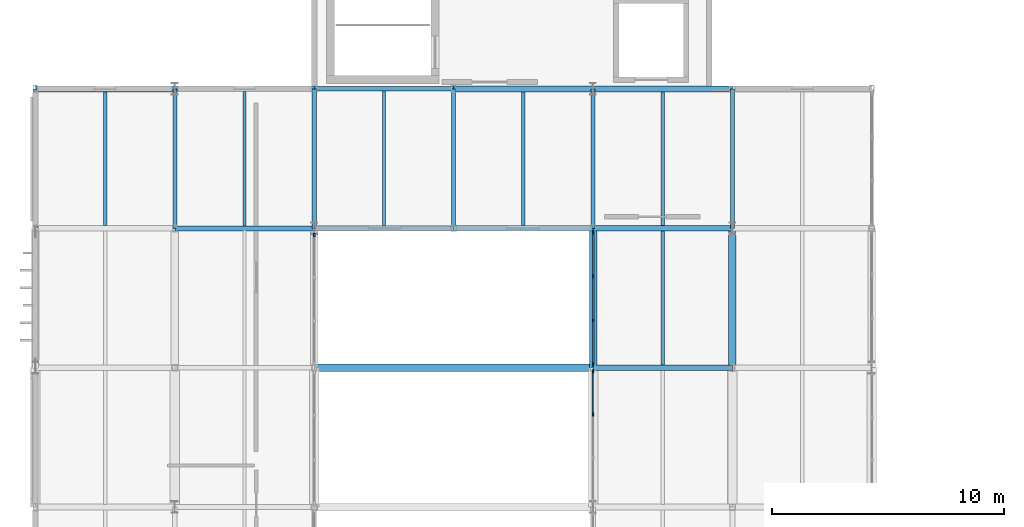
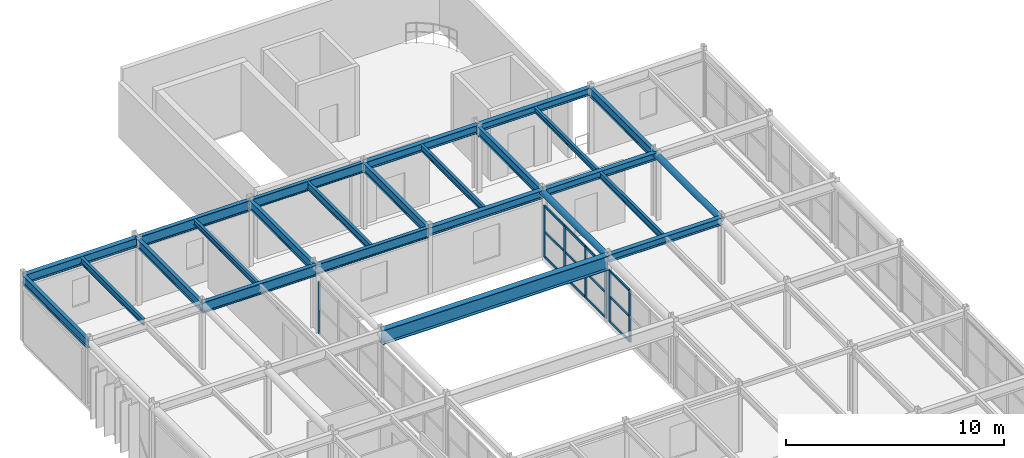
# One storey, part 13 of 63: 25 beams, 19 members, 3 elements without a shape of their own.
"""IFC4 building model written with IfcOpenShell, lengths in metres."""

import ifcopenshell
import ifcopenshell.guid

model = None  # the IFC model being written
_history = None  # IfcOwnerHistory: only IFC2X3 demands one
_inside = {}  # id of a spatial element -> (the spatial element, [elements in it])
_under = {}  # id of a project, library or spatial element -> (it, [spatial elements below it])
_declared = {}  # id of a project -> (the project, [libraries it declares])
_typed = {}  # id of a type object -> (the type object, [elements of that type])
_made_of = {}  # id of a material, layer set ... -> (it, [elements and type objects made of it])


def new_model(schema):
    """Start an empty IFC model of exactly this schema.

    Asked for "IFC4X3", IfcOpenShell would pick the latest addendum, in which some entities
    have other attributes; the version numbers below select the first issue.
    IFC2X3 requires an IfcOwnerHistory on every rooted entity: one is made here for all.
    """
    global model, _history
    if schema == "IFC4X3":
        model = ifcopenshell.file(schema_version=(4, 3, 0, 0))
    else:
        model = ifcopenshell.file(schema=schema)
    _inside.clear()
    _under.clear()
    _declared.clear()
    _typed.clear()
    _made_of.clear()
    _history = None
    if model.schema == "IFC2X3":
        org = make("IfcOrganization", Name="unknown")
        user = make(
            "IfcPersonAndOrganization",
            ThePerson=make("IfcPerson", FamilyName="unknown"),
            TheOrganization=org,
        )
        app = make(
            "IfcApplication",
            ApplicationDeveloper=org,
            Version="unknown",
            ApplicationFullName="unknown",
            ApplicationIdentifier="unknown",
        )
        _history = make(
            "IfcOwnerHistory",
            OwningUser=user,
            OwningApplication=app,
            ChangeAction="ADDED",
            CreationDate=0,
        )
    return model


def make(cls, **values):
    """One entity of the class cls with the attributes given. An attribute that is None is left unset."""
    return model.create_entity(
        cls, **{name: value for name, value in values.items() if value is not None}
    )


def rooted(cls, **values):
    """An entity with a GlobalId (a new one), such as an element, a storey or a relation."""
    return make(cls, GlobalId=ifcopenshell.guid.new(), OwnerHistory=_history, **values)


def si_unit(unit_type, name, prefix=None):
    """IfcSIUnit, for example si_unit("LENGTHUNIT", "METRE", prefix="MILLI")."""
    return make("IfcSIUnit", UnitType=unit_type, Prefix=prefix, Name=name)


def assignment(units):
    """IfcUnitAssignment: the units of a project."""
    return None if units is None else make("IfcUnitAssignment", Units=units)


def point(xyz):
    """IfcCartesianPoint."""
    return None if xyz is None else make("IfcCartesianPoint", Coordinates=xyz)


def direction(xyz):
    """IfcDirection."""
    return None if xyz is None else make("IfcDirection", DirectionRatios=xyz)


def frame(location, z_axis=None, x_axis=None):
    """IfcAxis2Placement3D, a coordinate frame: its origin and axes. An axis left out is left unset."""
    return make(
        "IfcAxis2Placement3D",
        Location=point(location),
        Axis=direction(z_axis),
        RefDirection=direction(x_axis),
    )


def frame_2d(location, x_axis=None):
    """IfcAxis2Placement2D, a coordinate frame in the plane: its origin and x axis."""
    return make(
        "IfcAxis2Placement2D", Location=point(location), RefDirection=direction(x_axis)
    )


def origin():
    """The frame at (0, 0, 0) with its axes left unset."""
    return frame((0.0, 0.0, 0.0))


def origin_2d():
    """The frame at (0, 0) in the plane with its x axis left unset."""
    return frame_2d((0.0, 0.0))


def place(relative_to, where):
    """IfcLocalPlacement: puts the frame where relative to a parent placement (None: the world)."""
    return make(
        "IfcLocalPlacement", PlacementRelTo=relative_to, RelativePlacement=where
    )


def context(
    kind, dimensions, precision=None, world=None, true_north=None, identifier=None
):
    """IfcGeometricRepresentationContext, for example the 3D "Model" context."""
    return make(
        "IfcGeometricRepresentationContext",
        ContextIdentifier=identifier,
        ContextType=kind,
        CoordinateSpaceDimension=dimensions,
        Precision=precision,
        WorldCoordinateSystem=world,
        TrueNorth=true_north,
    )


def subcontext(parent, identifier, kind, view, scale=None):
    """IfcGeometricRepresentationSubContext, for example "Body" below "Model"."""
    return make(
        "IfcGeometricRepresentationSubContext",
        ContextIdentifier=identifier,
        ContextType=kind,
        ParentContext=parent,
        TargetScale=scale,
        TargetView=view,
    )


def project(units=None, contexts=None):
    """IfcProject with its units and contexts."""
    return rooted(
        "IfcProject",
        Name="project",
        RepresentationContexts=contexts,
        UnitsInContext=assignment(units),
    )


def spatial(cls, under=None, at=None, **own):
    """A site, building, storey or space (cls), placed at a placement, below another one or the project."""
    s = rooted(cls, ObjectPlacement=at, **own)
    if under is not None:
        _under.setdefault(under.id(), (under, []))[1].append(s)
    return s


def profile(cls, at=None, kind="AREA", **sizes):
    """A parametric profile (cls). Its sizes go by their IFC names, for example OverallWidth=200.0."""
    return make(cls, ProfileType=kind, Position=at, **sizes)


def rectangle(**sizes):
    """IfcRectangleProfileDef."""
    return profile("IfcRectangleProfileDef", **sizes)


def hollow_circle(**sizes):
    """IfcCircleHollowProfileDef."""
    return profile("IfcCircleHollowProfileDef", **sizes)


def i_section(**sizes):
    """IfcIShapeProfileDef."""
    return profile("IfcIShapeProfileDef", **sizes)


def extrude(swept, where, along, depth):
    """IfcExtrudedAreaSolid: the profile swept, set in the frame where, extruded along a direction by depth."""
    return make(
        "IfcExtrudedAreaSolid",
        SweptArea=swept,
        Position=where,
        ExtrudedDirection=direction(along),
        Depth=depth,
    )


def shape(context_of_items, identifier, shape_type, items):
    """IfcShapeRepresentation: the items that make up one representation, for example the "Body"."""
    return make(
        "IfcShapeRepresentation",
        ContextOfItems=context_of_items,
        RepresentationIdentifier=identifier,
        RepresentationType=shape_type,
        Items=items,
    )


def material(Name=None, Category=None):
    """IfcMaterial."""
    return make("IfcMaterial", Name=Name, Category=Category)


def material_profile(
    of_material, cross_section, Name=None, Category=None, Priority=None
):
    """IfcMaterialProfile: a cross section and its material."""
    return make(
        "IfcMaterialProfile",
        Name=Name,
        Material=of_material,
        Profile=cross_section,
        Priority=Priority,
        Category=Category,
    )


def profile_set(profiles, Name=None, composite=None):
    """IfcMaterialProfileSet."""
    return make(
        "IfcMaterialProfileSet",
        Name=Name,
        MaterialProfiles=profiles,
        CompositeProfile=composite,
    )


def made_of(thing, what):
    """Note that an element or type object is made of a material, layer set ...; save() writes the relation."""
    if what is not None:
        _made_of.setdefault(what.id(), (what, []))[1].append(thing)
    return thing


def type_object(cls, material=None, **own):
    """A type object (cls), such as IfcWallType, which elements share."""
    return made_of(rooted(cls, **own), material)


def element(
    cls,
    number,
    at=None,
    inside=None,
    cuts=None,
    type_object=None,
    material=None,
    context=None,
    identifier="Body",
    shape_type=None,
    held_by="IfcProductDefinitionShape",
    body=None,
    shapes=None,
    **own,
):
    """One element of the class cls, such as IfcWall. Its Tag is "e" and its number.

    at: its placement. inside: the storey or other place that contains it. cuts: it is an
    opening in that element (IfcRelVoidsElement). A single representation is given by context,
    identifier, shape_type and body (its items); several are given by shapes. held_by: the class
    of the entity that holds the representations. save() writes the other relations.
    """
    e = rooted(cls, Tag="e%d" % number, ObjectPlacement=at, **own)
    if body is not None:
        shapes = [shape(context, identifier, shape_type, body)]
    if shapes is not None:
        e.Representation = make(held_by, Representations=shapes)
    if inside is not None:
        _inside.setdefault(inside.id(), (inside, []))[1].append(e)
    if cuts is not None:
        rooted(
            "IfcRelVoidsElement", RelatingBuildingElement=cuts, RelatedOpeningElement=e
        )
    if type_object is not None:
        _typed.setdefault(type_object.id(), (type_object, []))[1].append(e)
    return made_of(e, material)


def aggregate(whole, parts):
    """IfcRelAggregates: a whole, such as a stair, and the parts it consists of."""
    return rooted("IfcRelAggregates", RelatingObject=whole, RelatedObjects=parts)


def save(model, path):
    """Write the relations noted so far, then the file.

    IfcRelAggregates (storeys below a building ...), IfcRelContainedInSpatialStructure (elements
    in a storey), IfcRelDefinesByType, IfcRelAssociatesMaterial and IfcRelDeclares: one each for
    every whole, place, type object, material and project.
    """
    for whole, parts in _under.values():
        aggregate(whole, parts)
    for where, things in _inside.values():
        rooted(
            "IfcRelContainedInSpatialStructure",
            RelatedElements=things,
            RelatingStructure=where,
        )
    for kind, things in _typed.values():
        rooted("IfcRelDefinesByType", RelatedObjects=things, RelatingType=kind)
    for what, things in _made_of.values():
        rooted("IfcRelAssociatesMaterial", RelatedObjects=things, RelatingMaterial=what)
    for by, libraries in _declared.values():
        rooted("IfcRelDeclares", RelatingContext=by, RelatedDefinitions=libraries)
    model.write(path)


model = new_model("IFC4")

# Units and contexts
model_context = context("Model", 3, precision=1e-05, world=origin(), true_north=direction((0.0, 1.0)))
body_context = subcontext(model_context, "Body", "Model", "MODEL_VIEW")
ifc_project = project(units=[si_unit("LENGTHUNIT", "METRE"), si_unit("AREAUNIT", "SQUARE_METRE"), si_unit("VOLUMEUNIT", "CUBIC_METRE"), si_unit("PLANEANGLEUNIT", "RADIAN"), si_unit("MASSUNIT", "GRAM", prefix="KILO")], contexts=[model_context])

# Site, building, storey
site_placement = place(None, origin())
site = spatial("IfcSite", under=ifc_project, at=site_placement, CompositionType="ELEMENT")
building_placement = place(site_placement, origin())
building = spatial("IfcBuilding", under=site, at=building_placement, Name="Varnakota Square Police Headquarters", CompositionType="ELEMENT")
storey_placement = place(building_placement, frame((0.0, 0.0, 22.199951171875)))
storey = spatial("IfcBuildingStorey", under=building, at=storey_placement, Name="L05", CompositionType="ELEMENT", Elevation=22.199951171875)

# Beams
ifc_material_1 = material(Name="Steel IS 2062 Grade 350", Category="steel")
ifc_material_profile_1 = material_profile(ifc_material_1, hollow_circle(Radius=0.161865234375, WallThickness=0.0126953125, at=origin_2d()), Name="CHS 323.9x12.7")
ifc_profile_set_1 = profile_set([ifc_material_profile_1], Name="Steel IS 2062 Grade 350")
beam_type_1 = type_object("IfcBeamType", Name="BM-ARC-CHS324", PredefinedType="BEAM", material=ifc_profile_set_1)
for number, where, z_axis, x_axis, name in (
    (1, (30.0, 51.0, 3.528076171875), (0.0, 1.0, 0.0), (-1.0, 0.0, 0.0), "BMG-L05-3190"),
    (2, (36.0, 51.0, 3.528076171875), (0.0, 1.0, 0.0), (-1.0, 0.0, 0.0), "BMG-L05-3197"),
):
    element("IfcBeam", number, at=place(storey_placement, frame(where, z_axis=z_axis, x_axis=x_axis)), inside=storey, type_object=beam_type_1, Name=name, PredefinedType="BEAM", context=body_context, shape_type="SweptSolid", body=[
        extrude(hollow_circle(Radius=0.161865234375, WallThickness=0.0126953125, at=origin_2d()), origin(), (0.0, 0.0, 1.0), 6.0),
    ])
ifc_material_profile_2 = material_profile(ifc_material_1, i_section(OverallWidth=0.320068359375, OverallDepth=0.800048828125, WebThickness=0.01611328125, FlangeThickness=0.028076171875, at=origin_2d()), Name="BPG 800x320")
ifc_profile_set_2 = profile_set([ifc_material_profile_2], Name="Steel IS 2062 Grade 350")
beam_type_2 = type_object("IfcBeamType", Name="BM-BPG800", PredefinedType="BEAM", material=ifc_profile_set_2)
beam_1_placement = place(storey_placement, frame((18.0, 51.0, 3.2900390625), z_axis=(1.0, 0.0, 0.0), x_axis=(0.0, 1.0, 0.0)))
element("IfcBeam", 3, at=beam_1_placement, inside=storey, type_object=beam_type_2, Name="BMG-L05-3145", PredefinedType="BEAM", context=body_context, shape_type="SweptSolid", body=[
    extrude(i_section(OverallWidth=0.320068359375, OverallDepth=0.800048828125, WebThickness=0.01611328125, FlangeThickness=0.028076171875, at=origin_2d()), origin(), (0.0, 0.0, 1.0), 12.0),
])
ifc_material_profile_3 = material_profile(ifc_material_1, i_section(OverallWidth=0.25, OverallDepth=0.39990234375, WebThickness=0.010498046875, FlangeThickness=0.0126953125, FilletRadius=0.013916015625, at=origin_2d()), Name="ISHB 400")
ifc_profile_set_3 = profile_set([ifc_material_profile_3], Name="Steel IS 2062 Grade 350")
beam_type_3 = type_object("IfcBeamType", Name="BM-ISHB400", PredefinedType="BEAM", material=ifc_profile_set_3)
for number, where, z_axis, x_axis, name in (
    (4, (30.0, 51.0, 3.489990234375), (1.0, 0.0, 0.0), (0.0, 1.0, 0.0), "BMG-L05-3146"),
    (5, (30.0, 57.0, 3.489990234375), (1.0, 0.0, 0.0), (0.0, 1.0, 0.0), "BMG-L05-3152"),
    (6, (30.0, 63.0, 3.489990234375), (1.0, 0.0, 0.0), (0.0, 1.0, 0.0), "BMG-L05-3158"),
):
    element("IfcBeam", number, at=place(storey_placement, frame(where, z_axis=z_axis, x_axis=x_axis)), inside=storey, type_object=beam_type_3, Name=name, PredefinedType="BEAM", context=body_context, shape_type="SweptSolid", body=[
        extrude(i_section(OverallWidth=0.25, OverallDepth=0.39990234375, WebThickness=0.010498046875, FlangeThickness=0.0126953125, FilletRadius=0.013916015625, at=origin_2d()), origin(), (0.0, 0.0, 1.0), 6.0),
    ])
ifc_material_profile_4 = material_profile(ifc_material_1, i_section(OverallWidth=0.25, OverallDepth=0.449951171875, WebThickness=0.01123046875, FlangeThickness=0.013671875, FilletRadius=0.014892578125, at=origin_2d()), Name="ISHB 450")
ifc_profile_set_4 = profile_set([ifc_material_profile_4], Name="Steel IS 2062 Grade 350")
beam_type_4 = type_object("IfcBeamType", Name="BM-ISHB450", PredefinedType="BEAM", material=ifc_profile_set_4)
for number, where, z_axis, x_axis, name in (
    (7, (24.0, 57.0, 3.465087890625), (1.0, 0.0, 0.0), (0.0, 1.0, 0.0), "BMG-L05-3151"),
    (8, (24.0, 63.0, 3.465087890625), (1.0, 0.0, 0.0), (0.0, 1.0, 0.0), "BMG-L05-3157"),
):
    element("IfcBeam", number, at=place(storey_placement, frame(where, z_axis=z_axis, x_axis=x_axis)), inside=storey, type_object=beam_type_4, Name=name, PredefinedType="BEAM", context=body_context, shape_type="SweptSolid", body=[
        extrude(i_section(OverallWidth=0.25, OverallDepth=0.449951171875, WebThickness=0.01123046875, FlangeThickness=0.013671875, FilletRadius=0.014892578125, at=origin_2d()), origin(), (0.0, 0.0, 1.0), 6.0),
    ])
ifc_material_profile_5 = material_profile(ifc_material_1, i_section(OverallWidth=0.139892578125, OverallDepth=0.300048828125, WebThickness=0.0078125, FlangeThickness=0.01318359375, FilletRadius=0.013916015625, at=origin_2d()), Name="ISMB 300")
ifc_profile_set_5 = profile_set([ifc_material_profile_5], Name="Steel IS 2062 Grade 350")
beam_type_5 = type_object("IfcBeamType", Name="BM-ISMB300", PredefinedType="JOIST", material=ifc_profile_set_5)
beam_2_placement = place(storey_placement, frame((15.0, 57.10302734375, 3.5400390625), z_axis=(0.0, 1.0, 0.0), x_axis=(-1.0, 0.0, 0.0)))
element("IfcBeam", 9, at=beam_2_placement, inside=storey, type_object=beam_type_5, Name="BMG-L05-3256", PredefinedType="JOIST", context=body_context, shape_type="SweptSolid", body=[
    extrude(i_section(OverallWidth=0.139892578125, OverallDepth=0.300048828125, WebThickness=0.0078125, FlangeThickness=0.01318359375, FilletRadius=0.013916015625, at=origin_2d()), origin(), (0.0, 0.0, 1.0), 5.7939453125),
])
beam_3_placement = place(storey_placement, frame((33.0, 57.123046875, 3.5400390625), z_axis=(0.0, 1.0, 0.0), x_axis=(-1.0, 0.0, 0.0)))
element("IfcBeam", 10, at=beam_3_placement, inside=storey, type_object=beam_type_5, Name="BMG-L05-3271", PredefinedType="JOIST", context=body_context, shape_type="SweptSolid", body=[
    extrude(i_section(OverallWidth=0.139892578125, OverallDepth=0.300048828125, WebThickness=0.0078125, FlangeThickness=0.01318359375, FilletRadius=0.013916015625, at=origin_2d()), origin(), (0.0, 0.0, 1.0), 5.75390625),
])
ifc_material_profile_6 = material_profile(ifc_material_1, i_section(OverallWidth=0.139892578125, OverallDepth=0.35009765625, WebThickness=0.008056640625, FlangeThickness=0.01416015625, FilletRadius=0.013916015625, at=origin_2d()), Name="ISMB 350")
ifc_profile_set_6 = profile_set([ifc_material_profile_6], Name="Steel IS 2062 Grade 350")
beam_type_6 = type_object("IfcBeamType", Name="BM-ISMB350", PredefinedType="JOIST", material=ifc_profile_set_6)
for number, where, z_axis, x_axis, name in (
    (11, (9.0, 57.123046875, 3.51513671875), (0.0, 1.0, 0.0), (-1.0, 0.0, 0.0), "BMG-L05-3250"),
    (12, (27.0, 57.123046875, 3.51513671875), (0.0, 1.0, 0.0), (-1.0, 0.0, 0.0), "BMG-L05-3264"),
    (13, (33.0, 51.123046875, 3.51513671875), (0.0, 1.0, 0.0), (-1.0, 0.0, 0.0), "BMG-L05-3270"),
):
    element("IfcBeam", number, at=place(storey_placement, frame(where, z_axis=z_axis, x_axis=x_axis)), inside=storey, type_object=beam_type_6, Name=name, PredefinedType="JOIST", context=body_context, shape_type="SweptSolid", body=[
        extrude(i_section(OverallWidth=0.139892578125, OverallDepth=0.35009765625, WebThickness=0.008056640625, FlangeThickness=0.01416015625, FilletRadius=0.013916015625, at=origin_2d()), origin(), (0.0, 0.0, 1.0), 5.75390625),
    ])
ifc_material_profile_7 = material_profile(ifc_material_1, i_section(OverallWidth=0.139892578125, OverallDepth=0.39990234375, WebThickness=0.0087890625, FlangeThickness=0.01611328125, FilletRadius=0.013916015625, at=origin_2d()), Name="ISMB 400")
ifc_profile_set_7 = profile_set([ifc_material_profile_7], Name="Steel IS 2062 Grade 350")
beam_type_7 = type_object("IfcBeamType", Name="BM-ISMB400", PredefinedType="JOIST", material=ifc_profile_set_7)
beam_4_placement = place(storey_placement, frame((21.0, 57.093017578125, 3.489990234375), z_axis=(0.0, 1.0, 0.0), x_axis=(-1.0, 0.0, 0.0)))
element("IfcBeam", 14, at=beam_4_placement, inside=storey, type_object=beam_type_7, Name="BMG-L05-3260", PredefinedType="JOIST", context=body_context, shape_type="SweptSolid", body=[
    extrude(i_section(OverallWidth=0.139892578125, OverallDepth=0.39990234375, WebThickness=0.0087890625, FlangeThickness=0.01611328125, FilletRadius=0.013916015625, at=origin_2d()), origin(), (0.0, 0.0, 1.0), 5.81396484375),
])
ifc_material_profile_8 = material_profile(ifc_material_1, i_section(OverallWidth=0.179931640625, OverallDepth=0.5, WebThickness=0.01025390625, FlangeThickness=0.01708984375, FilletRadius=0.01708984375, at=origin_2d()), Name="ISMB 500")
ifc_profile_set_8 = profile_set([ifc_material_profile_8], Name="Steel IS 2062 Grade 350")
beam_type_8 = type_object("IfcBeamType", Name="BM-ISMB500", PredefinedType="BEAM", material=ifc_profile_set_8)
for number, where, z_axis, x_axis, name in (
    (15, (6.0, 57.0, 3.43994140625), (0.0, 1.0, 0.0), (-1.0, 0.0, 0.0), "BMG-L05-3166"),
    (16, (12.0, 57.0, 3.43994140625), (0.0, 1.0, 0.0), (-1.0, 0.0, 0.0), "BMG-L05-3173"),
    (17, (18.0, 57.0, 3.43994140625), (0.0, 1.0, 0.0), (-1.0, 0.0, 0.0), "BMG-L05-3180"),
    (18, (24.0, 57.0, 3.43994140625), (0.0, 1.0, 0.0), (-1.0, 0.0, 0.0), "BMG-L05-3184"),
    (19, (30.0, 57.0, 3.43994140625), (0.0, 1.0, 0.0), (-1.0, 0.0, 0.0), "BMG-L05-3191"),
    (20, (36.0, 57.0, 3.43994140625), (0.0, 1.0, 0.0), (-1.0, 0.0, 0.0), "BMG-L05-3198"),
):
    element("IfcBeam", number, at=place(storey_placement, frame(where, z_axis=z_axis, x_axis=x_axis)), inside=storey, type_object=beam_type_8, Name=name, PredefinedType="BEAM", context=body_context, shape_type="SweptSolid", body=[
        extrude(i_section(OverallWidth=0.179931640625, OverallDepth=0.5, WebThickness=0.01025390625, FlangeThickness=0.01708984375, FilletRadius=0.01708984375, at=origin_2d()), origin(), (0.0, 0.0, 1.0), 6.0),
    ])
ifc_material_profile_9 = material_profile(ifc_material_1, i_section(OverallWidth=0.18994140625, OverallDepth=0.550048828125, WebThickness=0.01123046875, FlangeThickness=0.019287109375, FilletRadius=0.01806640625, at=origin_2d()), Name="ISMB 550")
ifc_profile_set_9 = profile_set([ifc_material_profile_9], Name="Steel IS 2062 Grade 350")
beam_type_9 = type_object("IfcBeamType", Name="BM-ISMB550", PredefinedType="BEAM", material=ifc_profile_set_9)
for number, where, z_axis, x_axis, name in (
    (21, (18.0, 57.0, 3.4150390625), (1.0, 0.0, 0.0), (0.0, 1.0, 0.0), "BMG-L05-3150"),
    (22, (18.0, 63.0, 3.4150390625), (1.0, 0.0, 0.0), (0.0, 1.0, 0.0), "BMG-L05-3156"),
):
    element("IfcBeam", number, at=place(storey_placement, frame(where, z_axis=z_axis, x_axis=x_axis)), inside=storey, type_object=beam_type_9, Name=name, PredefinedType="BEAM", context=body_context, shape_type="SweptSolid", body=[
        extrude(i_section(OverallWidth=0.18994140625, OverallDepth=0.550048828125, WebThickness=0.01123046875, FlangeThickness=0.019287109375, FilletRadius=0.01806640625, at=origin_2d()), origin(), (0.0, 0.0, 1.0), 6.0),
    ])
ifc_material_profile_10 = material_profile(ifc_material_1, i_section(OverallWidth=0.2099609375, OverallDepth=0.60009765625, WebThickness=0.011962890625, FlangeThickness=0.020751953125, FilletRadius=0.02001953125, at=origin_2d()), Name="ISMB 600")
ifc_profile_set_10 = profile_set([ifc_material_profile_10], Name="Steel IS 2062 Grade 350")
beam_type_10 = type_object("IfcBeamType", Name="BM-ISMB600", PredefinedType="BEAM", material=ifc_profile_set_10)
for number, where, z_axis, x_axis, name in (
    (23, (12.0, 57.0, 3.39013671875), (1.0, 0.0, 0.0), (0.0, 1.0, 0.0), "BMG-L05-3149"),
    (24, (12.0, 63.0, 3.39013671875), (1.0, 0.0, 0.0), (0.0, 1.0, 0.0), "BMG-L05-3155"),
):
    element("IfcBeam", number, at=place(storey_placement, frame(where, z_axis=z_axis, x_axis=x_axis)), inside=storey, type_object=beam_type_10, Name=name, PredefinedType="BEAM", context=body_context, shape_type="SweptSolid", body=[
        extrude(i_section(OverallWidth=0.2099609375, OverallDepth=0.60009765625, WebThickness=0.011962890625, FlangeThickness=0.020751953125, FilletRadius=0.02001953125, at=origin_2d()), origin(), (0.0, 0.0, 1.0), 6.0),
    ])
ifc_material_profile_11 = material_profile(ifc_material_1, i_section(OverallWidth=0.25, OverallDepth=0.5, WebThickness=0.010009765625, FlangeThickness=0.0146484375, FilletRadius=0.014892578125, at=origin_2d()), Name="ISWB 500")
ifc_profile_set_11 = profile_set([ifc_material_profile_11], Name="Steel IS 2062 Grade 350")
beam_type_11 = type_object("IfcBeamType", Name="BM-ISWB500", PredefinedType="BEAM", material=ifc_profile_set_11)
beam_5_placement = place(storey_placement, frame((6.0, 63.0, 3.43994140625), z_axis=(1.0, 0.0, 0.0), x_axis=(0.0, 1.0, 0.0)))
element("IfcBeam", 25, at=beam_5_placement, inside=storey, type_object=beam_type_11, Name="BMG-L05-3154", PredefinedType="BEAM", context=body_context, shape_type="SweptSolid", body=[
    extrude(i_section(OverallWidth=0.25, OverallDepth=0.5, WebThickness=0.010009765625, FlangeThickness=0.0146484375, FilletRadius=0.014892578125, at=origin_2d()), origin(), (0.0, 0.0, 1.0), 6.0),
])

# Curtain wall, members
ifc_material_2 = material(Name="Anodised Aluminium Framing", Category="aluminium")
curtain_wall_type = type_object("IfcCurtainWallType", Name="CW-SYS-F", PredefinedType="NOTDEFINED", material=ifc_material_2)
curtain_wall_1_placement = place(storey_placement, origin())
curtain_wall_1 = element("IfcCurtainWall", 26, at=curtain_wall_1_placement, inside=storey, type_object=curtain_wall_type, Name="Unitised curtain wall CWG-L05-201", PredefinedType="NOTDEFINED")
ifc_material_3 = material(Name="Anodised Aluminium 6063-T6", Category="aluminium")
ifc_material_profile_12 = material_profile(ifc_material_3, rectangle(XDim=0.06494140625, YDim=0.159912109375, at=origin_2d()), Name="ALU MULLION 65x160")
ifc_profile_set_12 = profile_set([ifc_material_profile_12], Name="Anodised Aluminium 6063-T6")
member_type_1 = type_object("IfcMemberType", Name="CWM-150", PredefinedType="MULLION", material=ifc_profile_set_12)
member_1_placement = place(storey_placement, frame((30.0, 48.998291015625, 0.0), z_axis=(0.0, 0.0, 1.0), x_axis=(-1.0, 0.0, 0.0)))
member_1 = element("IfcMember", 27, at=member_1_placement, type_object=member_type_1, Name="CWG-L05-201 mullion 3", PredefinedType="MULLION", context=body_context, shape_type="SweptSolid", body=[
    extrude(rectangle(XDim=0.06494140625, YDim=0.159912109375, at=origin_2d()), origin(), (0.0, 0.0, 1.0), 2.880126953125),
])
member_2_placement = place(storey_placement, frame((30.0, 50.83740234375, 0.0), z_axis=(0.0, 0.0, 1.0), x_axis=(-1.0, 0.0, 0.0)))
member_2 = element("IfcMember", 28, at=member_2_placement, type_object=member_type_1, Name="CWG-L05-201 mullion 4", PredefinedType="MULLION", context=body_context, shape_type="SweptSolid", body=[
    extrude(rectangle(XDim=0.06494140625, YDim=0.159912109375, at=origin_2d()), origin(), (0.0, 0.0, 1.0), 2.880126953125),
])

# Curtain wall, member
curtain_wall_2_placement = place(storey_placement, origin())
curtain_wall_2 = element("IfcCurtainWall", 29, at=curtain_wall_2_placement, inside=storey, type_object=curtain_wall_type, Name="Unitised curtain wall CWG-L05-202", PredefinedType="NOTDEFINED")
member_3_placement = place(storey_placement, frame((18.0, 56.71240234375, 0.0), z_axis=(0.0, 0.0, 1.0), x_axis=(-1.0, 0.0, 0.0)))
member_3 = element("IfcMember", 30, at=member_3_placement, type_object=member_type_1, Name="CWG-L05-202 mullion 4", PredefinedType="MULLION", context=body_context, shape_type="SweptSolid", body=[
    extrude(rectangle(XDim=0.06494140625, YDim=0.159912109375, at=origin_2d()), origin(), (0.0, 0.0, 1.0), 2.880126953125),
])
aggregate(curtain_wall_2, [member_3])

# Curtain wall, members
curtain_wall_3_placement = place(storey_placement, origin())
curtain_wall_3 = element("IfcCurtainWall", 31, at=curtain_wall_3_placement, inside=storey, type_object=curtain_wall_type, Name="Unitised curtain wall CWG-L05-203", PredefinedType="NOTDEFINED")
member_4_placement = place(storey_placement, frame((30.0, 51.16259765625, 0.0), z_axis=(0.0, 0.0, 1.0), x_axis=(-1.0, 0.0, 0.0)))
member_4 = element("IfcMember", 32, at=member_4_placement, type_object=member_type_1, Name="CWG-L05-203 mullion 1", PredefinedType="MULLION", context=body_context, shape_type="SweptSolid", body=[
    extrude(rectangle(XDim=0.06494140625, YDim=0.159912109375, at=origin_2d()), origin(), (0.0, 0.0, 1.0), 2.880126953125),
])
member_5_placement = place(storey_placement, frame((30.0, 53.034912109375, 0.0), z_axis=(0.0, 0.0, 1.0), x_axis=(-1.0, 0.0, 0.0)))
member_5 = element("IfcMember", 33, at=member_5_placement, type_object=member_type_1, Name="CWG-L05-203 mullion 2", PredefinedType="MULLION", context=body_context, shape_type="SweptSolid", body=[
    extrude(rectangle(XDim=0.06494140625, YDim=0.159912109375, at=origin_2d()), origin(), (0.0, 0.0, 1.0), 2.880126953125),
])
member_6_placement = place(storey_placement, frame((30.0, 54.93994140625, 0.0), z_axis=(0.0, 0.0, 1.0), x_axis=(-1.0, 0.0, 0.0)))
member_6 = element("IfcMember", 34, at=member_6_placement, type_object=member_type_1, Name="CWG-L05-203 mullion 3", PredefinedType="MULLION", context=body_context, shape_type="SweptSolid", body=[
    extrude(rectangle(XDim=0.06494140625, YDim=0.159912109375, at=origin_2d()), origin(), (0.0, 0.0, 1.0), 2.880126953125),
])
member_7_placement = place(storey_placement, frame((30.0, 56.8125, 0.0), z_axis=(0.0, 0.0, 1.0), x_axis=(-1.0, 0.0, 0.0)))
member_7 = element("IfcMember", 35, at=member_7_placement, type_object=member_type_1, Name="CWG-L05-203 mullion 4", PredefinedType="MULLION", context=body_context, shape_type="SweptSolid", body=[
    extrude(rectangle(XDim=0.06494140625, YDim=0.159912109375, at=origin_2d()), origin(), (0.0, 0.0, 1.0), 2.880126953125),
])

# Member
ifc_material_profile_13 = material_profile(ifc_material_3, rectangle(XDim=0.06494140625, YDim=0.1298828125, at=origin_2d()), Name="ALU TRANSOM 65x130")
ifc_profile_set_13 = profile_set([ifc_material_profile_13], Name="Anodised Aluminium 6063-T6")
member_type_2 = type_object("IfcMemberType", Name="CWT-120", PredefinedType="USERDEFINED", material=ifc_profile_set_13)
member_8_placement = place(storey_placement, frame((30.0, 49.03076171875, 0.032470703125), z_axis=(0.0, 1.0, 0.0), x_axis=(-1.0, 0.0, 0.0)))
member_8 = element("IfcMember", 36, at=member_8_placement, type_object=member_type_2, Name="CWG-L05-201 transom 3.1", ObjectType="TRANSOM", PredefinedType="USERDEFINED", context=body_context, shape_type="SweptSolid", body=[
    extrude(rectangle(XDim=0.06494140625, YDim=0.1298828125, at=origin_2d()), origin(), (0.0, 0.0, 1.0), 1.774169921875),
])

member_9_placement = place(storey_placement, frame((30.0, 49.03076171875, 1.43994140625), z_axis=(0.0, 1.0, 0.0), x_axis=(-1.0, 0.0, 0.0)))
member_9 = element("IfcMember", 37, at=member_9_placement, type_object=member_type_2, Name="CWG-L05-201 transom 3.2", ObjectType="TRANSOM", PredefinedType="USERDEFINED", context=body_context, shape_type="SweptSolid", body=[
    extrude(rectangle(XDim=0.06494140625, YDim=0.1298828125, at=origin_2d()), origin(), (0.0, 0.0, 1.0), 1.774169921875),
])

member_10_placement = place(storey_placement, frame((30.0, 49.03076171875, 2.84765625), z_axis=(0.0, 1.0, 0.0), x_axis=(-1.0, 0.0, 0.0)))
member_10 = element("IfcMember", 38, at=member_10_placement, type_object=member_type_2, Name="CWG-L05-201 transom 3.3", ObjectType="TRANSOM", PredefinedType="USERDEFINED", context=body_context, shape_type="SweptSolid", body=[
    extrude(rectangle(XDim=0.06494140625, YDim=0.1298828125, at=origin_2d()), origin(), (0.0, 0.0, 1.0), 1.774169921875),
])

aggregate(curtain_wall_1, [member_1, member_2, member_8, member_9, member_10])

member_11_placement = place(storey_placement, frame((30.0, 51.195068359375, 0.032470703125), z_axis=(0.0, 1.0, 0.0), x_axis=(-1.0, 0.0, 0.0)))
member_11 = element("IfcMember", 39, at=member_11_placement, type_object=member_type_2, Name="CWG-L05-203 transom 1.1", ObjectType="TRANSOM", PredefinedType="USERDEFINED", context=body_context, shape_type="SweptSolid", body=[
    extrude(rectangle(XDim=0.06494140625, YDim=0.1298828125, at=origin_2d()), origin(), (0.0, 0.0, 1.0), 1.807373046875),
])

member_12_placement = place(storey_placement, frame((30.0, 51.195068359375, 1.43994140625), z_axis=(0.0, 1.0, 0.0), x_axis=(-1.0, 0.0, 0.0)))
member_12 = element("IfcMember", 40, at=member_12_placement, type_object=member_type_2, Name="CWG-L05-203 transom 1.2", ObjectType="TRANSOM", PredefinedType="USERDEFINED", context=body_context, shape_type="SweptSolid", body=[
    extrude(rectangle(XDim=0.06494140625, YDim=0.1298828125, at=origin_2d()), origin(), (0.0, 0.0, 1.0), 1.807373046875),
])

member_13_placement = place(storey_placement, frame((30.0, 51.195068359375, 2.84765625), z_axis=(0.0, 1.0, 0.0), x_axis=(-1.0, 0.0, 0.0)))
member_13 = element("IfcMember", 41, at=member_13_placement, type_object=member_type_2, Name="CWG-L05-203 transom 1.3", ObjectType="TRANSOM", PredefinedType="USERDEFINED", context=body_context, shape_type="SweptSolid", body=[
    extrude(rectangle(XDim=0.06494140625, YDim=0.1298828125, at=origin_2d()), origin(), (0.0, 0.0, 1.0), 1.807373046875),
])

member_14_placement = place(storey_placement, frame((30.0, 53.0673828125, 0.032470703125), z_axis=(0.0, 1.0, 0.0), x_axis=(-1.0, 0.0, 0.0)))
member_14 = element("IfcMember", 42, at=member_14_placement, type_object=member_type_2, Name="CWG-L05-203 transom 2.1", ObjectType="TRANSOM", PredefinedType="USERDEFINED", context=body_context, shape_type="SweptSolid", body=[
    extrude(rectangle(XDim=0.06494140625, YDim=0.1298828125, at=origin_2d()), origin(), (0.0, 0.0, 1.0), 1.840087890625),
])

member_15_placement = place(storey_placement, frame((30.0, 53.0673828125, 1.43994140625), z_axis=(0.0, 1.0, 0.0), x_axis=(-1.0, 0.0, 0.0)))
member_15 = element("IfcMember", 43, at=member_15_placement, type_object=member_type_2, Name="CWG-L05-203 transom 2.2", ObjectType="TRANSOM", PredefinedType="USERDEFINED", context=body_context, shape_type="SweptSolid", body=[
    extrude(rectangle(XDim=0.06494140625, YDim=0.1298828125, at=origin_2d()), origin(), (0.0, 0.0, 1.0), 1.840087890625),
])

member_16_placement = place(storey_placement, frame((30.0, 53.0673828125, 2.84765625), z_axis=(0.0, 1.0, 0.0), x_axis=(-1.0, 0.0, 0.0)))
member_16 = element("IfcMember", 44, at=member_16_placement, type_object=member_type_2, Name="CWG-L05-203 transom 2.3", ObjectType="TRANSOM", PredefinedType="USERDEFINED", context=body_context, shape_type="SweptSolid", body=[
    extrude(rectangle(XDim=0.06494140625, YDim=0.1298828125, at=origin_2d()), origin(), (0.0, 0.0, 1.0), 1.840087890625),
])

member_17_placement = place(storey_placement, frame((30.0, 54.972412109375, 0.032470703125), z_axis=(0.0, 1.0, 0.0), x_axis=(-1.0, 0.0, 0.0)))
member_17 = element("IfcMember", 45, at=member_17_placement, type_object=member_type_2, Name="CWG-L05-203 transom 3.1", ObjectType="TRANSOM", PredefinedType="USERDEFINED", context=body_context, shape_type="SweptSolid", body=[
    extrude(rectangle(XDim=0.06494140625, YDim=0.1298828125, at=origin_2d()), origin(), (0.0, 0.0, 1.0), 1.8076171875),
])

member_18_placement = place(storey_placement, frame((30.0, 54.972412109375, 1.43994140625), z_axis=(0.0, 1.0, 0.0), x_axis=(-1.0, 0.0, 0.0)))
member_18 = element("IfcMember", 46, at=member_18_placement, type_object=member_type_2, Name="CWG-L05-203 transom 3.2", ObjectType="TRANSOM", PredefinedType="USERDEFINED", context=body_context, shape_type="SweptSolid", body=[
    extrude(rectangle(XDim=0.06494140625, YDim=0.1298828125, at=origin_2d()), origin(), (0.0, 0.0, 1.0), 1.8076171875),
])

member_19_placement = place(storey_placement, frame((30.0, 54.972412109375, 2.84765625), z_axis=(0.0, 1.0, 0.0), x_axis=(-1.0, 0.0, 0.0)))
member_19 = element("IfcMember", 47, at=member_19_placement, type_object=member_type_2, Name="CWG-L05-203 transom 3.3", ObjectType="TRANSOM", PredefinedType="USERDEFINED", context=body_context, shape_type="SweptSolid", body=[
    extrude(rectangle(XDim=0.06494140625, YDim=0.1298828125, at=origin_2d()), origin(), (0.0, 0.0, 1.0), 1.8076171875),
])

aggregate(curtain_wall_3, [member_4, member_5, member_6, member_7, member_11, member_12, member_13, member_14, member_15, member_16, member_17, member_18, member_19])

save(model, "model.ifc")
